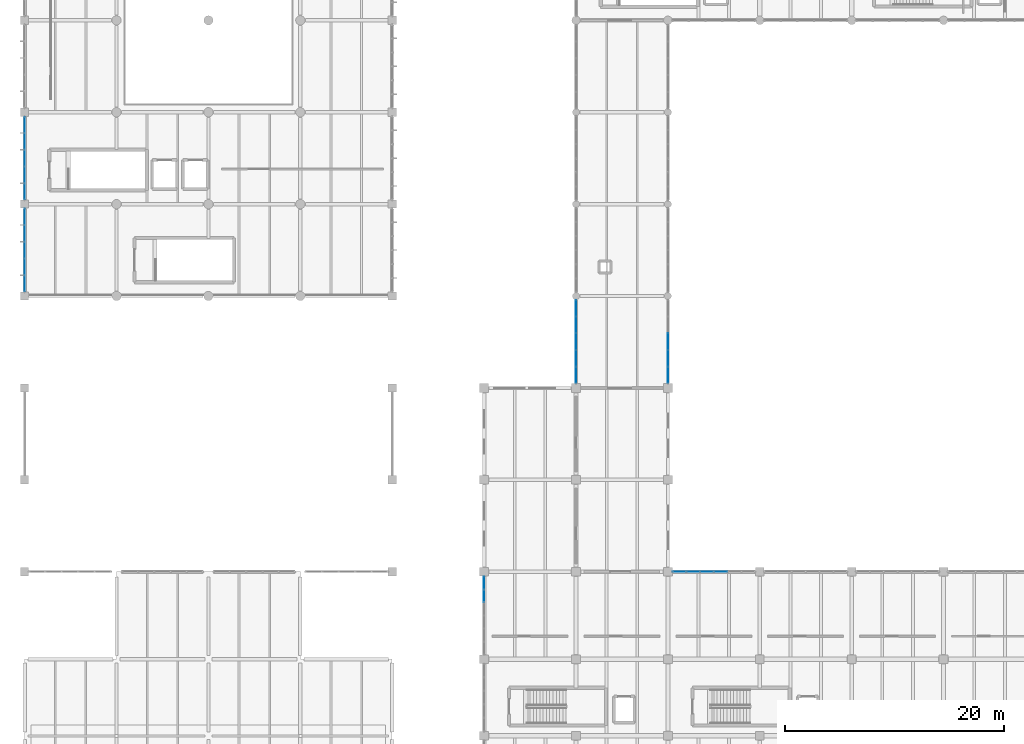
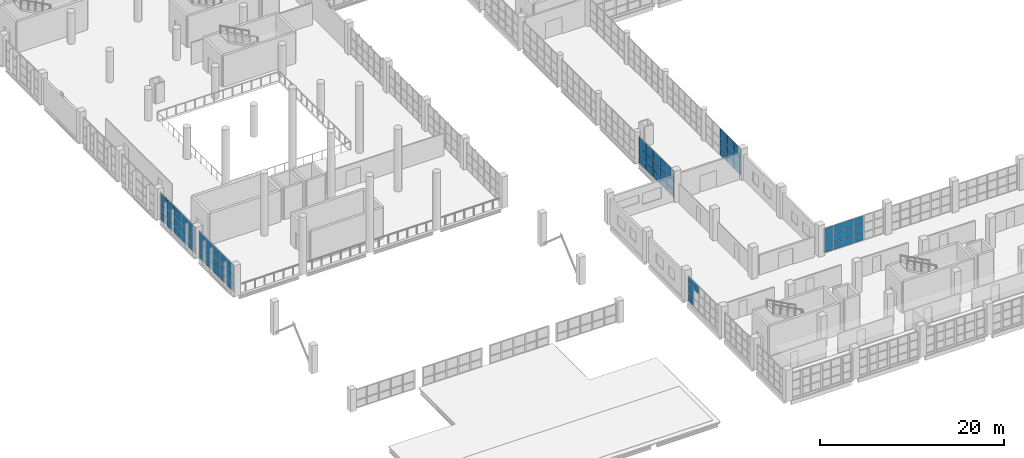
# One storey, part 122 of 177: 70 plates, 6 elements without a shape of their own.
"""IFC4 building model written with IfcOpenShell, lengths in metres."""

from ifc_helpers import new_model, si_unit, direction, frame, origin, origin_2d, place, context, subcontext, project, spatial, rectangle, extrude, material, layer, layer_set, type_object, element, aggregate, save


model = new_model("IFC4")

# Units and contexts
model_context = context("Model", 3, precision=1e-05, world=origin(), true_north=direction((0.0, 1.0)))
body_context = subcontext(model_context, "Body", "Model", "MODEL_VIEW")
ifc_project = project(units=[si_unit("LENGTHUNIT", "METRE"), si_unit("AREAUNIT", "SQUARE_METRE"), si_unit("VOLUMEUNIT", "CUBIC_METRE"), si_unit("PLANEANGLEUNIT", "RADIAN"), si_unit("MASSUNIT", "GRAM", prefix="KILO"), si_unit("THERMODYNAMICTEMPERATUREUNIT", "KELVIN"), si_unit("POWERUNIT", "WATT")], contexts=[model_context])

# Site, building, storey
site_placement = place(None, origin())
site = spatial("IfcSite", under=ifc_project, at=site_placement, CompositionType="ELEMENT")
building_placement = place(site_placement, origin())
building = spatial("IfcBuilding", under=site, at=building_placement, Name="Mavoryth Pier Ferry Terminal", CompositionType="ELEMENT")
storey_placement = place(building_placement, frame((0.0, 0.0, 5.43994140625)))
storey = spatial("IfcBuildingStorey", under=building, at=storey_placement, Name="L01", CompositionType="ELEMENT", Elevation=5.43994140625)

# Curtain wall, plates
ifc_material_1 = material(Name="Anodised Aluminium and Solar-Control Low-E Glass", Category="aluminium")
ifc_layer_1 = layer(ifc_material_1, 0.179931640625, Name="Anodised Aluminium and Solar-Control Low-E Glass", Category="aluminium")
ifc_layer_set_1 = layer_set([ifc_layer_1], Name="Anodised Aluminium and Solar-Control Low-E Glass - CW-Concourse-Mod1400")
curtain_wall_type_1 = type_object("IfcCurtainWallType", Name="CW-Concourse-Mod1400", PredefinedType="USERDEFINED", material=ifc_layer_set_1)
curtain_wall_1_placement = place(storey_placement, origin())
curtain_wall_1 = element("IfcCurtainWall", 1, at=curtain_wall_1_placement, inside=storey, type_object=curtain_wall_type_1, Name="Curtain Wall CW-0122-007", ObjectType="UNITISED CURTAIN WALL", PredefinedType="USERDEFINED")
ifc_material_2 = material(Name="Solar-Control Low-E Laminated Double Glazing", Category="glass")
ifc_layer_2 = layer(ifc_material_2, 0.02392578125, Name="Solar-Control Low-E Laminated Double Glazing", Category="glass")
ifc_layer_set_2 = layer_set([ifc_layer_2], Name="Solar-Control Low-E Laminated Double Glazing - Panel-LowE-DGU-24")
plate_type = type_object("IfcPlateType", Name="Panel-LowE-DGU-24", PredefinedType="CURTAIN_PANEL", material=ifc_layer_set_2)
plate_1_placement = place(storey_placement, frame((0.0, 54.445068359375, 0.06005859375), z_axis=(0.0, 0.0, 1.0), x_axis=(0.0, -1.0, 0.0)))
plate_1 = element("IfcPlate", 2, at=plate_1_placement, type_object=plate_type, Name="CW01 panel 1.1", PredefinedType="CURTAIN_PANEL", context=body_context, shape_type="SweptSolid", body=[
    extrude(rectangle(XDim=1.43994140625, YDim=0.02392578125, at=origin_2d()), origin(), (0.0, 0.0, 1.0), 0.9599609375),
])
plate_2_placement = place(storey_placement, frame((0.0, 54.445068359375, 1.080078125), z_axis=(0.0, 0.0, 1.0), x_axis=(0.0, -1.0, 0.0)))
plate_2 = element("IfcPlate", 3, at=plate_2_placement, type_object=plate_type, Name="CW01 panel 1.2", PredefinedType="CURTAIN_PANEL", context=body_context, shape_type="SweptSolid", body=[
    extrude(rectangle(XDim=1.43994140625, YDim=0.02392578125, at=origin_2d()), origin(), (0.0, 0.0, 1.0), 1.139892578125),
])
plate_3_placement = place(storey_placement, frame((0.0, 54.445068359375, 2.27978515625), z_axis=(0.0, 0.0, 1.0), x_axis=(0.0, -1.0, 0.0)))
plate_3 = element("IfcPlate", 4, at=plate_3_placement, type_object=plate_type, Name="CW01 panel 1.3", PredefinedType="CURTAIN_PANEL", context=body_context, shape_type="SweptSolid", body=[
    extrude(rectangle(XDim=1.43994140625, YDim=0.02392578125, at=origin_2d()), origin(), (0.0, 0.0, 1.0), 1.320068359375),
])
plate_4_placement = place(storey_placement, frame((0.0, 52.929931640625, 0.06005859375), z_axis=(0.0, 0.0, 1.0), x_axis=(0.0, -1.0, 0.0)))
plate_4 = element("IfcPlate", 5, at=plate_4_placement, type_object=plate_type, Name="CW01 panel 2.1", PredefinedType="CURTAIN_PANEL", context=body_context, shape_type="SweptSolid", body=[
    extrude(rectangle(XDim=1.469970703125, YDim=0.02392578125, at=origin_2d()), origin(), (0.0, 0.0, 1.0), 0.9599609375),
])
plate_5_placement = place(storey_placement, frame((0.0, 52.929931640625, 1.080078125), z_axis=(0.0, 0.0, 1.0), x_axis=(0.0, -1.0, 0.0)))
plate_5 = element("IfcPlate", 6, at=plate_5_placement, type_object=plate_type, Name="CW01 panel 2.2", PredefinedType="CURTAIN_PANEL", context=body_context, shape_type="SweptSolid", body=[
    extrude(rectangle(XDim=1.469970703125, YDim=0.02392578125, at=origin_2d()), origin(), (0.0, 0.0, 1.0), 1.139892578125),
])
plate_6_placement = place(storey_placement, frame((0.0, 52.929931640625, 2.27978515625), z_axis=(0.0, 0.0, 1.0), x_axis=(0.0, -1.0, 0.0)))
plate_6 = element("IfcPlate", 7, at=plate_6_placement, type_object=plate_type, Name="CW01 panel 2.3", PredefinedType="CURTAIN_PANEL", context=body_context, shape_type="SweptSolid", body=[
    extrude(rectangle(XDim=1.469970703125, YDim=0.02392578125, at=origin_2d()), origin(), (0.0, 0.0, 1.0), 1.320068359375),
])
plate_7_placement = place(storey_placement, frame((0.0, 51.39990234375, 0.06005859375), z_axis=(0.0, 0.0, 1.0), x_axis=(0.0, -1.0, 0.0)))
plate_7 = element("IfcPlate", 8, at=plate_7_placement, type_object=plate_type, Name="CW01 panel 3.1", PredefinedType="CURTAIN_PANEL", context=body_context, shape_type="SweptSolid", body=[
    extrude(rectangle(XDim=1.469970703125, YDim=0.02392578125, at=origin_2d()), origin(), (0.0, 0.0, 1.0), 0.9599609375),
])
plate_8_placement = place(storey_placement, frame((0.0, 51.39990234375, 1.080078125), z_axis=(0.0, 0.0, 1.0), x_axis=(0.0, -1.0, 0.0)))
plate_8 = element("IfcPlate", 9, at=plate_8_placement, type_object=plate_type, Name="CW01 panel 3.2", PredefinedType="CURTAIN_PANEL", context=body_context, shape_type="SweptSolid", body=[
    extrude(rectangle(XDim=1.469970703125, YDim=0.02392578125, at=origin_2d()), origin(), (0.0, 0.0, 1.0), 1.139892578125),
])
plate_9_placement = place(storey_placement, frame((0.0, 51.39990234375, 2.27978515625), z_axis=(0.0, 0.0, 1.0), x_axis=(0.0, -1.0, 0.0)))
plate_9 = element("IfcPlate", 10, at=plate_9_placement, type_object=plate_type, Name="CW01 panel 3.3", PredefinedType="CURTAIN_PANEL", context=body_context, shape_type="SweptSolid", body=[
    extrude(rectangle(XDim=1.469970703125, YDim=0.02392578125, at=origin_2d()), origin(), (0.0, 0.0, 1.0), 1.320068359375),
])
plate_10_placement = place(storey_placement, frame((0.0, 49.8701171875, 0.06005859375), z_axis=(0.0, 0.0, 1.0), x_axis=(0.0, -1.0, 0.0)))
plate_10 = element("IfcPlate", 11, at=plate_10_placement, type_object=plate_type, Name="CW01 panel 4.1", PredefinedType="CURTAIN_PANEL", context=body_context, shape_type="SweptSolid", body=[
    extrude(rectangle(XDim=1.469970703125, YDim=0.02392578125, at=origin_2d()), origin(), (0.0, 0.0, 1.0), 0.9599609375),
])
plate_11_placement = place(storey_placement, frame((0.0, 49.8701171875, 1.080078125), z_axis=(0.0, 0.0, 1.0), x_axis=(0.0, -1.0, 0.0)))
plate_11 = element("IfcPlate", 12, at=plate_11_placement, type_object=plate_type, Name="CW01 panel 4.2", PredefinedType="CURTAIN_PANEL", context=body_context, shape_type="SweptSolid", body=[
    extrude(rectangle(XDim=1.469970703125, YDim=0.02392578125, at=origin_2d()), origin(), (0.0, 0.0, 1.0), 1.139892578125),
])
plate_12_placement = place(storey_placement, frame((0.0, 49.8701171875, 2.27978515625), z_axis=(0.0, 0.0, 1.0), x_axis=(0.0, -1.0, 0.0)))
plate_12 = element("IfcPlate", 13, at=plate_12_placement, type_object=plate_type, Name="CW01 panel 4.3", PredefinedType="CURTAIN_PANEL", context=body_context, shape_type="SweptSolid", body=[
    extrude(rectangle(XDim=1.469970703125, YDim=0.02392578125, at=origin_2d()), origin(), (0.0, 0.0, 1.0), 1.320068359375),
])
plate_13_placement = place(storey_placement, frame((0.0, 48.35498046875, 0.06005859375), z_axis=(0.0, 0.0, 1.0), x_axis=(0.0, -1.0, 0.0)))
plate_13 = element("IfcPlate", 14, at=plate_13_placement, type_object=plate_type, Name="CW01 panel 5.1", PredefinedType="CURTAIN_PANEL", context=body_context, shape_type="SweptSolid", body=[
    extrude(rectangle(XDim=1.43994140625, YDim=0.02392578125, at=origin_2d()), origin(), (0.0, 0.0, 1.0), 0.9599609375),
])
plate_14_placement = place(storey_placement, frame((0.0, 48.35498046875, 1.080078125), z_axis=(0.0, 0.0, 1.0), x_axis=(0.0, -1.0, 0.0)))
plate_14 = element("IfcPlate", 15, at=plate_14_placement, type_object=plate_type, Name="CW01 panel 5.2", PredefinedType="CURTAIN_PANEL", context=body_context, shape_type="SweptSolid", body=[
    extrude(rectangle(XDim=1.43994140625, YDim=0.02392578125, at=origin_2d()), origin(), (0.0, 0.0, 1.0), 1.139892578125),
])
plate_15_placement = place(storey_placement, frame((0.0, 48.35498046875, 2.27978515625), z_axis=(0.0, 0.0, 1.0), x_axis=(0.0, -1.0, 0.0)))
plate_15 = element("IfcPlate", 16, at=plate_15_placement, type_object=plate_type, Name="CW01 panel 5.3", PredefinedType="CURTAIN_PANEL", context=body_context, shape_type="SweptSolid", body=[
    extrude(rectangle(XDim=1.43994140625, YDim=0.02392578125, at=origin_2d()), origin(), (0.0, 0.0, 1.0), 1.320068359375),
])
aggregate(curtain_wall_1, [plate_1, plate_2, plate_3, plate_4, plate_5, plate_6, plate_7, plate_8, plate_9, plate_10, plate_11, plate_12, plate_13, plate_14, plate_15])

curtain_wall_2_placement = place(storey_placement, origin())
curtain_wall_2 = element("IfcCurtainWall", 17, at=curtain_wall_2_placement, inside=storey, type_object=curtain_wall_type_1, Name="Curtain Wall CW-0122-011", ObjectType="UNITISED CURTAIN WALL", PredefinedType="USERDEFINED")
plate_16_placement = place(storey_placement, frame((0.0, 62.844970703125, 0.06005859375), z_axis=(0.0, 0.0, 1.0), x_axis=(0.0, -1.0, 0.0)))
plate_16 = element("IfcPlate", 18, at=plate_16_placement, type_object=plate_type, Name="CW01 panel 1.1", PredefinedType="CURTAIN_PANEL", context=body_context, shape_type="SweptSolid", body=[
    extrude(rectangle(XDim=1.43994140625, YDim=0.02392578125, at=origin_2d()), origin(), (0.0, 0.0, 1.0), 0.9599609375),
])
plate_17_placement = place(storey_placement, frame((0.0, 62.844970703125, 1.080078125), z_axis=(0.0, 0.0, 1.0), x_axis=(0.0, -1.0, 0.0)))
plate_17 = element("IfcPlate", 19, at=plate_17_placement, type_object=plate_type, Name="CW01 panel 1.2", PredefinedType="CURTAIN_PANEL", context=body_context, shape_type="SweptSolid", body=[
    extrude(rectangle(XDim=1.43994140625, YDim=0.02392578125, at=origin_2d()), origin(), (0.0, 0.0, 1.0), 1.139892578125),
])
plate_18_placement = place(storey_placement, frame((0.0, 62.844970703125, 2.27978515625), z_axis=(0.0, 0.0, 1.0), x_axis=(0.0, -1.0, 0.0)))
plate_18 = element("IfcPlate", 20, at=plate_18_placement, type_object=plate_type, Name="CW01 panel 1.3", PredefinedType="CURTAIN_PANEL", context=body_context, shape_type="SweptSolid", body=[
    extrude(rectangle(XDim=1.43994140625, YDim=0.02392578125, at=origin_2d()), origin(), (0.0, 0.0, 1.0), 1.320068359375),
])
plate_19_placement = place(storey_placement, frame((0.0, 61.330078125, 0.06005859375), z_axis=(0.0, 0.0, 1.0), x_axis=(0.0, -1.0, 0.0)))
plate_19 = element("IfcPlate", 21, at=plate_19_placement, type_object=plate_type, Name="CW01 panel 2.1", PredefinedType="CURTAIN_PANEL", context=body_context, shape_type="SweptSolid", body=[
    extrude(rectangle(XDim=1.469970703125, YDim=0.02392578125, at=origin_2d()), origin(), (0.0, 0.0, 1.0), 0.9599609375),
])
plate_20_placement = place(storey_placement, frame((0.0, 61.330078125, 1.080078125), z_axis=(0.0, 0.0, 1.0), x_axis=(0.0, -1.0, 0.0)))
plate_20 = element("IfcPlate", 22, at=plate_20_placement, type_object=plate_type, Name="CW01 panel 2.2", PredefinedType="CURTAIN_PANEL", context=body_context, shape_type="SweptSolid", body=[
    extrude(rectangle(XDim=1.469970703125, YDim=0.02392578125, at=origin_2d()), origin(), (0.0, 0.0, 1.0), 1.139892578125),
])
plate_21_placement = place(storey_placement, frame((0.0, 61.330078125, 2.27978515625), z_axis=(0.0, 0.0, 1.0), x_axis=(0.0, -1.0, 0.0)))
plate_21 = element("IfcPlate", 23, at=plate_21_placement, type_object=plate_type, Name="CW01 panel 2.3", PredefinedType="CURTAIN_PANEL", context=body_context, shape_type="SweptSolid", body=[
    extrude(rectangle(XDim=1.469970703125, YDim=0.02392578125, at=origin_2d()), origin(), (0.0, 0.0, 1.0), 1.320068359375),
])
plate_22_placement = place(storey_placement, frame((0.0, 59.800048828125, 0.06005859375), z_axis=(0.0, 0.0, 1.0), x_axis=(0.0, -1.0, 0.0)))
plate_22 = element("IfcPlate", 24, at=plate_22_placement, type_object=plate_type, Name="CW01 panel 3.1", PredefinedType="CURTAIN_PANEL", context=body_context, shape_type="SweptSolid", body=[
    extrude(rectangle(XDim=1.469970703125, YDim=0.02392578125, at=origin_2d()), origin(), (0.0, 0.0, 1.0), 0.9599609375),
])
plate_23_placement = place(storey_placement, frame((0.0, 59.800048828125, 1.080078125), z_axis=(0.0, 0.0, 1.0), x_axis=(0.0, -1.0, 0.0)))
plate_23 = element("IfcPlate", 25, at=plate_23_placement, type_object=plate_type, Name="CW01 panel 3.2", PredefinedType="CURTAIN_PANEL", context=body_context, shape_type="SweptSolid", body=[
    extrude(rectangle(XDim=1.469970703125, YDim=0.02392578125, at=origin_2d()), origin(), (0.0, 0.0, 1.0), 1.139892578125),
])
plate_24_placement = place(storey_placement, frame((0.0, 59.800048828125, 2.27978515625), z_axis=(0.0, 0.0, 1.0), x_axis=(0.0, -1.0, 0.0)))
plate_24 = element("IfcPlate", 26, at=plate_24_placement, type_object=plate_type, Name="CW01 panel 3.3", PredefinedType="CURTAIN_PANEL", context=body_context, shape_type="SweptSolid", body=[
    extrude(rectangle(XDim=1.469970703125, YDim=0.02392578125, at=origin_2d()), origin(), (0.0, 0.0, 1.0), 1.320068359375),
])
plate_25_placement = place(storey_placement, frame((0.0, 58.27001953125, 0.06005859375), z_axis=(0.0, 0.0, 1.0), x_axis=(0.0, -1.0, 0.0)))
plate_25 = element("IfcPlate", 27, at=plate_25_placement, type_object=plate_type, Name="CW01 panel 4.1", PredefinedType="CURTAIN_PANEL", context=body_context, shape_type="SweptSolid", body=[
    extrude(rectangle(XDim=1.469970703125, YDim=0.02392578125, at=origin_2d()), origin(), (0.0, 0.0, 1.0), 0.9599609375),
])
plate_26_placement = place(storey_placement, frame((0.0, 58.27001953125, 1.080078125), z_axis=(0.0, 0.0, 1.0), x_axis=(0.0, -1.0, 0.0)))
plate_26 = element("IfcPlate", 28, at=plate_26_placement, type_object=plate_type, Name="CW01 panel 4.2", PredefinedType="CURTAIN_PANEL", context=body_context, shape_type="SweptSolid", body=[
    extrude(rectangle(XDim=1.469970703125, YDim=0.02392578125, at=origin_2d()), origin(), (0.0, 0.0, 1.0), 1.139892578125),
])
plate_27_placement = place(storey_placement, frame((0.0, 58.27001953125, 2.27978515625), z_axis=(0.0, 0.0, 1.0), x_axis=(0.0, -1.0, 0.0)))
plate_27 = element("IfcPlate", 29, at=plate_27_placement, type_object=plate_type, Name="CW01 panel 4.3", PredefinedType="CURTAIN_PANEL", context=body_context, shape_type="SweptSolid", body=[
    extrude(rectangle(XDim=1.469970703125, YDim=0.02392578125, at=origin_2d()), origin(), (0.0, 0.0, 1.0), 1.320068359375),
])
plate_28_placement = place(storey_placement, frame((0.0, 56.7548828125, 0.06005859375), z_axis=(0.0, 0.0, 1.0), x_axis=(0.0, -1.0, 0.0)))
plate_28 = element("IfcPlate", 30, at=plate_28_placement, type_object=plate_type, Name="CW01 panel 5.1", PredefinedType="CURTAIN_PANEL", context=body_context, shape_type="SweptSolid", body=[
    extrude(rectangle(XDim=1.43994140625, YDim=0.02392578125, at=origin_2d()), origin(), (0.0, 0.0, 1.0), 0.9599609375),
])
plate_29_placement = place(storey_placement, frame((0.0, 56.7548828125, 1.080078125), z_axis=(0.0, 0.0, 1.0), x_axis=(0.0, -1.0, 0.0)))
plate_29 = element("IfcPlate", 31, at=plate_29_placement, type_object=plate_type, Name="CW01 panel 5.2", PredefinedType="CURTAIN_PANEL", context=body_context, shape_type="SweptSolid", body=[
    extrude(rectangle(XDim=1.43994140625, YDim=0.02392578125, at=origin_2d()), origin(), (0.0, 0.0, 1.0), 1.139892578125),
])
plate_30_placement = place(storey_placement, frame((0.0, 56.7548828125, 2.27978515625), z_axis=(0.0, 0.0, 1.0), x_axis=(0.0, -1.0, 0.0)))
plate_30 = element("IfcPlate", 32, at=plate_30_placement, type_object=plate_type, Name="CW01 panel 5.3", PredefinedType="CURTAIN_PANEL", context=body_context, shape_type="SweptSolid", body=[
    extrude(rectangle(XDim=1.43994140625, YDim=0.02392578125, at=origin_2d()), origin(), (0.0, 0.0, 1.0), 1.320068359375),
])
aggregate(curtain_wall_2, [plate_16, plate_17, plate_18, plate_19, plate_20, plate_21, plate_22, plate_23, plate_24, plate_25, plate_26, plate_27, plate_28, plate_29, plate_30])

ifc_layer_3 = layer(ifc_material_1, 0.1201171875, Name="Anodised Aluminium and Solar-Control Low-E Glass", Category="aluminium")
ifc_layer_set_3 = layer_set([ifc_layer_3], Name="Anodised Aluminium and Solar-Control Low-E Glass - CW-BridgeLink-Mod1400")
curtain_wall_type_2 = type_object("IfcCurtainWallType", Name="CW-BridgeLink-Mod1400", PredefinedType="USERDEFINED", material=ifc_layer_set_3)
curtain_wall_3_placement = place(storey_placement, origin())
curtain_wall_3 = element("IfcCurtainWall", 33, at=curtain_wall_3_placement, inside=storey, type_object=curtain_wall_type_2, Name="Curtain Wall CW-0111-102", ObjectType="UNITISED CURTAIN WALL", PredefinedType="USERDEFINED")
plate_31_placement = place(storey_placement, frame((50.39990234375, 46.09375, 0.05517578125), z_axis=(0.0, 0.0, 1.0), x_axis=(0.0, -1.0, 0.0)))
plate_31 = element("IfcPlate", 34, at=plate_31_placement, type_object=plate_type, Name="CW08 panel 1.1", PredefinedType="CURTAIN_PANEL", context=body_context, shape_type="SweptSolid", body=[
    extrude(rectangle(XDim=1.452392578125, YDim=0.02392578125, at=origin_2d()), origin(), (0.0, 0.0, 1.0), 0.967529296875),
])
plate_32_placement = place(storey_placement, frame((50.39990234375, 46.09375, 1.07763671875), z_axis=(0.0, 0.0, 1.0), x_axis=(0.0, -1.0, 0.0)))
plate_32 = element("IfcPlate", 35, at=plate_32_placement, type_object=plate_type, Name="CW08 panel 1.2", PredefinedType="CURTAIN_PANEL", context=body_context, shape_type="SweptSolid", body=[
    extrude(rectangle(XDim=1.452392578125, YDim=0.02392578125, at=origin_2d()), origin(), (0.0, 0.0, 1.0), 1.14501953125),
])
plate_33_placement = place(storey_placement, frame((50.39990234375, 46.09375, 2.27734375), z_axis=(0.0, 0.0, 1.0), x_axis=(0.0, -1.0, 0.0)))
plate_33 = element("IfcPlate", 36, at=plate_33_placement, type_object=plate_type, Name="CW08 panel 1.3", PredefinedType="CURTAIN_PANEL", context=body_context, shape_type="SweptSolid", body=[
    extrude(rectangle(XDim=1.452392578125, YDim=0.02392578125, at=origin_2d()), origin(), (0.0, 0.0, 1.0), 1.322509765625),
])
plate_34_placement = place(storey_placement, frame((50.39990234375, 44.572509765625, 0.05517578125), z_axis=(0.0, 0.0, 1.0), x_axis=(0.0, -1.0, 0.0)))
plate_34 = element("IfcPlate", 37, at=plate_34_placement, type_object=plate_type, Name="CW08 panel 2.1", PredefinedType="CURTAIN_PANEL", context=body_context, shape_type="SweptSolid", body=[
    extrude(rectangle(XDim=1.47998046875, YDim=0.02392578125, at=origin_2d()), origin(), (0.0, 0.0, 1.0), 0.967529296875),
])
plate_35_placement = place(storey_placement, frame((50.39990234375, 44.572509765625, 1.07763671875), z_axis=(0.0, 0.0, 1.0), x_axis=(0.0, -1.0, 0.0)))
plate_35 = element("IfcPlate", 38, at=plate_35_placement, type_object=plate_type, Name="CW08 panel 2.2", PredefinedType="CURTAIN_PANEL", context=body_context, shape_type="SweptSolid", body=[
    extrude(rectangle(XDim=1.47998046875, YDim=0.02392578125, at=origin_2d()), origin(), (0.0, 0.0, 1.0), 1.14501953125),
])
plate_36_placement = place(storey_placement, frame((50.39990234375, 44.572509765625, 2.27734375), z_axis=(0.0, 0.0, 1.0), x_axis=(0.0, -1.0, 0.0)))
plate_36 = element("IfcPlate", 39, at=plate_36_placement, type_object=plate_type, Name="CW08 panel 2.3", PredefinedType="CURTAIN_PANEL", context=body_context, shape_type="SweptSolid", body=[
    extrude(rectangle(XDim=1.47998046875, YDim=0.02392578125, at=origin_2d()), origin(), (0.0, 0.0, 1.0), 1.322509765625),
])
plate_37_placement = place(storey_placement, frame((50.39990234375, 43.03759765625, 0.05517578125), z_axis=(0.0, 0.0, 1.0), x_axis=(0.0, -1.0, 0.0)))
plate_37 = element("IfcPlate", 40, at=plate_37_placement, type_object=plate_type, Name="CW08 panel 3.1", PredefinedType="CURTAIN_PANEL", context=body_context, shape_type="SweptSolid", body=[
    extrude(rectangle(XDim=1.47998046875, YDim=0.02392578125, at=origin_2d()), origin(), (0.0, 0.0, 1.0), 0.967529296875),
])
plate_38_placement = place(storey_placement, frame((50.39990234375, 43.03759765625, 1.07763671875), z_axis=(0.0, 0.0, 1.0), x_axis=(0.0, -1.0, 0.0)))
plate_38 = element("IfcPlate", 41, at=plate_38_placement, type_object=plate_type, Name="CW08 panel 3.2", PredefinedType="CURTAIN_PANEL", context=body_context, shape_type="SweptSolid", body=[
    extrude(rectangle(XDim=1.47998046875, YDim=0.02392578125, at=origin_2d()), origin(), (0.0, 0.0, 1.0), 1.14501953125),
])
plate_39_placement = place(storey_placement, frame((50.39990234375, 43.03759765625, 2.27734375), z_axis=(0.0, 0.0, 1.0), x_axis=(0.0, -1.0, 0.0)))
plate_39 = element("IfcPlate", 42, at=plate_39_placement, type_object=plate_type, Name="CW08 panel 3.3", PredefinedType="CURTAIN_PANEL", context=body_context, shape_type="SweptSolid", body=[
    extrude(rectangle(XDim=1.47998046875, YDim=0.02392578125, at=origin_2d()), origin(), (0.0, 0.0, 1.0), 1.322509765625),
])
plate_40_placement = place(storey_placement, frame((50.39990234375, 41.50244140625, 0.05517578125), z_axis=(0.0, 0.0, 1.0), x_axis=(0.0, -1.0, 0.0)))
plate_40 = element("IfcPlate", 43, at=plate_40_placement, type_object=plate_type, Name="CW08 panel 4.1", PredefinedType="CURTAIN_PANEL", context=body_context, shape_type="SweptSolid", body=[
    extrude(rectangle(XDim=1.47998046875, YDim=0.02392578125, at=origin_2d()), origin(), (0.0, 0.0, 1.0), 0.967529296875),
])
plate_41_placement = place(storey_placement, frame((50.39990234375, 41.50244140625, 1.07763671875), z_axis=(0.0, 0.0, 1.0), x_axis=(0.0, -1.0, 0.0)))
plate_41 = element("IfcPlate", 44, at=plate_41_placement, type_object=plate_type, Name="CW08 panel 4.2", PredefinedType="CURTAIN_PANEL", context=body_context, shape_type="SweptSolid", body=[
    extrude(rectangle(XDim=1.47998046875, YDim=0.02392578125, at=origin_2d()), origin(), (0.0, 0.0, 1.0), 1.14501953125),
])
plate_42_placement = place(storey_placement, frame((50.39990234375, 41.50244140625, 2.27734375), z_axis=(0.0, 0.0, 1.0), x_axis=(0.0, -1.0, 0.0)))
plate_42 = element("IfcPlate", 45, at=plate_42_placement, type_object=plate_type, Name="CW08 panel 4.3", PredefinedType="CURTAIN_PANEL", context=body_context, shape_type="SweptSolid", body=[
    extrude(rectangle(XDim=1.47998046875, YDim=0.02392578125, at=origin_2d()), origin(), (0.0, 0.0, 1.0), 1.322509765625),
])
plate_43_placement = place(storey_placement, frame((50.39990234375, 39.981201171875, 0.05517578125), z_axis=(0.0, 0.0, 1.0), x_axis=(0.0, -1.0, 0.0)))
plate_43 = element("IfcPlate", 46, at=plate_43_placement, type_object=plate_type, Name="CW08 panel 5.1", PredefinedType="CURTAIN_PANEL", context=body_context, shape_type="SweptSolid", body=[
    extrude(rectangle(XDim=1.452392578125, YDim=0.02392578125, at=origin_2d()), origin(), (0.0, 0.0, 1.0), 0.967529296875),
])
plate_44_placement = place(storey_placement, frame((50.39990234375, 39.981201171875, 1.07763671875), z_axis=(0.0, 0.0, 1.0), x_axis=(0.0, -1.0, 0.0)))
plate_44 = element("IfcPlate", 47, at=plate_44_placement, type_object=plate_type, Name="CW08 panel 5.2", PredefinedType="CURTAIN_PANEL", context=body_context, shape_type="SweptSolid", body=[
    extrude(rectangle(XDim=1.452392578125, YDim=0.02392578125, at=origin_2d()), origin(), (0.0, 0.0, 1.0), 1.14501953125),
])
plate_45_placement = place(storey_placement, frame((50.39990234375, 39.981201171875, 2.27734375), z_axis=(0.0, 0.0, 1.0), x_axis=(0.0, -1.0, 0.0)))
plate_45 = element("IfcPlate", 48, at=plate_45_placement, type_object=plate_type, Name="CW08 panel 5.3", PredefinedType="CURTAIN_PANEL", context=body_context, shape_type="SweptSolid", body=[
    extrude(rectangle(XDim=1.452392578125, YDim=0.02392578125, at=origin_2d()), origin(), (0.0, 0.0, 1.0), 1.322509765625),
])
aggregate(curtain_wall_3, [plate_31, plate_32, plate_33, plate_34, plate_35, plate_36, plate_37, plate_38, plate_39, plate_40, plate_41, plate_42, plate_43, plate_44, plate_45])

curtain_wall_4_placement = place(storey_placement, origin())
curtain_wall_4 = element("IfcCurtainWall", 49, at=curtain_wall_4_placement, inside=storey, type_object=curtain_wall_type_2, Name="Curtain Wall CW-0111-103", ObjectType="UNITISED CURTAIN WALL", PredefinedType="USERDEFINED")
plate_46_placement = place(storey_placement, frame((58.800048828125, 39.981201171875, 0.05517578125), z_axis=(0.0, 0.0, 1.0), x_axis=(0.0, 1.0, 0.0)))
plate_46 = element("IfcPlate", 50, at=plate_46_placement, type_object=plate_type, Name="CW08 panel 1.1", PredefinedType="CURTAIN_PANEL", context=body_context, shape_type="SweptSolid", body=[
    extrude(rectangle(XDim=1.452392578125, YDim=0.02392578125, at=origin_2d()), origin(), (0.0, 0.0, 1.0), 0.967529296875),
])
plate_47_placement = place(storey_placement, frame((58.800048828125, 39.981201171875, 1.07763671875), z_axis=(0.0, 0.0, 1.0), x_axis=(0.0, 1.0, 0.0)))
plate_47 = element("IfcPlate", 51, at=plate_47_placement, type_object=plate_type, Name="CW08 panel 1.2", PredefinedType="CURTAIN_PANEL", context=body_context, shape_type="SweptSolid", body=[
    extrude(rectangle(XDim=1.452392578125, YDim=0.02392578125, at=origin_2d()), origin(), (0.0, 0.0, 1.0), 1.14501953125),
])
plate_48_placement = place(storey_placement, frame((58.800048828125, 39.981201171875, 2.27734375), z_axis=(0.0, 0.0, 1.0), x_axis=(0.0, 1.0, 0.0)))
plate_48 = element("IfcPlate", 52, at=plate_48_placement, type_object=plate_type, Name="CW08 panel 1.3", PredefinedType="CURTAIN_PANEL", context=body_context, shape_type="SweptSolid", body=[
    extrude(rectangle(XDim=1.452392578125, YDim=0.02392578125, at=origin_2d()), origin(), (0.0, 0.0, 1.0), 1.322509765625),
])
plate_49_placement = place(storey_placement, frame((58.800048828125, 41.50244140625, 0.05517578125), z_axis=(0.0, 0.0, 1.0), x_axis=(0.0, 1.0, 0.0)))
plate_49 = element("IfcPlate", 53, at=plate_49_placement, type_object=plate_type, Name="CW08 panel 2.1", PredefinedType="CURTAIN_PANEL", context=body_context, shape_type="SweptSolid", body=[
    extrude(rectangle(XDim=1.47998046875, YDim=0.02392578125, at=origin_2d()), origin(), (0.0, 0.0, 1.0), 0.967529296875),
])
plate_50_placement = place(storey_placement, frame((58.800048828125, 41.50244140625, 1.07763671875), z_axis=(0.0, 0.0, 1.0), x_axis=(0.0, 1.0, 0.0)))
plate_50 = element("IfcPlate", 54, at=plate_50_placement, type_object=plate_type, Name="CW08 panel 2.2", PredefinedType="CURTAIN_PANEL", context=body_context, shape_type="SweptSolid", body=[
    extrude(rectangle(XDim=1.47998046875, YDim=0.02392578125, at=origin_2d()), origin(), (0.0, 0.0, 1.0), 1.14501953125),
])
plate_51_placement = place(storey_placement, frame((58.800048828125, 41.50244140625, 2.27734375), z_axis=(0.0, 0.0, 1.0), x_axis=(0.0, 1.0, 0.0)))
plate_51 = element("IfcPlate", 55, at=plate_51_placement, type_object=plate_type, Name="CW08 panel 2.3", PredefinedType="CURTAIN_PANEL", context=body_context, shape_type="SweptSolid", body=[
    extrude(rectangle(XDim=1.47998046875, YDim=0.02392578125, at=origin_2d()), origin(), (0.0, 0.0, 1.0), 1.322509765625),
])
plate_52_placement = place(storey_placement, frame((58.800048828125, 43.03759765625, 0.05517578125), z_axis=(0.0, 0.0, 1.0), x_axis=(0.0, 1.0, 0.0)))
plate_52 = element("IfcPlate", 56, at=plate_52_placement, type_object=plate_type, Name="CW08 panel 3.1", PredefinedType="CURTAIN_PANEL", context=body_context, shape_type="SweptSolid", body=[
    extrude(rectangle(XDim=1.47998046875, YDim=0.02392578125, at=origin_2d()), origin(), (0.0, 0.0, 1.0), 0.967529296875),
])
plate_53_placement = place(storey_placement, frame((58.800048828125, 43.03759765625, 1.07763671875), z_axis=(0.0, 0.0, 1.0), x_axis=(0.0, 1.0, 0.0)))
plate_53 = element("IfcPlate", 57, at=plate_53_placement, type_object=plate_type, Name="CW08 panel 3.2", PredefinedType="CURTAIN_PANEL", context=body_context, shape_type="SweptSolid", body=[
    extrude(rectangle(XDim=1.47998046875, YDim=0.02392578125, at=origin_2d()), origin(), (0.0, 0.0, 1.0), 1.14501953125),
])
plate_54_placement = place(storey_placement, frame((58.800048828125, 43.03759765625, 2.27734375), z_axis=(0.0, 0.0, 1.0), x_axis=(0.0, 1.0, 0.0)))
plate_54 = element("IfcPlate", 58, at=plate_54_placement, type_object=plate_type, Name="CW08 panel 3.3", PredefinedType="CURTAIN_PANEL", context=body_context, shape_type="SweptSolid", body=[
    extrude(rectangle(XDim=1.47998046875, YDim=0.02392578125, at=origin_2d()), origin(), (0.0, 0.0, 1.0), 1.322509765625),
])
aggregate(curtain_wall_4, [plate_46, plate_47, plate_48, plate_49, plate_50, plate_51, plate_52, plate_53, plate_54])

ifc_layer_4 = layer(ifc_material_1, 0.239990234375, Name="Anodised Aluminium and Solar-Control Low-E Glass", Category="aluminium")
ifc_layer_set_4 = layer_set([ifc_layer_4], Name="Anodised Aluminium and Solar-Control Low-E Glass - CW-Operations-Mod1200")
curtain_wall_type_3 = type_object("IfcCurtainWallType", Name="CW-Operations-Mod1200", PredefinedType="USERDEFINED", material=ifc_layer_set_4)
curtain_wall_5_placement = place(storey_placement, origin())
curtain_wall_5 = element("IfcCurtainWall", 59, at=curtain_wall_5_placement, inside=storey, type_object=curtain_wall_type_3, Name="Curtain Wall CW-0122-113", ObjectType="UNITISED CURTAIN WALL", PredefinedType="USERDEFINED")
plate_55_placement = place(storey_placement, frame((63.63330078125, 22.0, 0.06005859375), z_axis=(0.0, 0.0, 1.0), x_axis=(-1.0, 0.0, 0.0)))
plate_55 = element("IfcPlate", 60, at=plate_55_placement, type_object=plate_type, Name="CW06 panel 3.1", PredefinedType="CURTAIN_PANEL", context=body_context, shape_type="SweptSolid", body=[
    extrude(rectangle(XDim=1.206787109375, YDim=0.02392578125, at=origin_2d()), origin(), (0.0, 0.0, 1.0), 0.9599609375),
])
plate_56_placement = place(storey_placement, frame((63.63330078125, 22.0, 1.080078125), z_axis=(0.0, 0.0, 1.0), x_axis=(-1.0, 0.0, 0.0)))
plate_56 = element("IfcPlate", 61, at=plate_56_placement, type_object=plate_type, Name="CW06 panel 3.2", PredefinedType="CURTAIN_PANEL", context=body_context, shape_type="SweptSolid", body=[
    extrude(rectangle(XDim=1.206787109375, YDim=0.02392578125, at=origin_2d()), origin(), (0.0, 0.0, 1.0), 1.139892578125),
])
plate_57_placement = place(storey_placement, frame((63.63330078125, 22.0, 2.280029296875), z_axis=(0.0, 0.0, 1.0), x_axis=(-1.0, 0.0, 0.0)))
plate_57 = element("IfcPlate", 62, at=plate_57_placement, type_object=plate_type, Name="CW06 panel 3.3", PredefinedType="CURTAIN_PANEL", context=body_context, shape_type="SweptSolid", body=[
    extrude(rectangle(XDim=1.206787109375, YDim=0.02392578125, at=origin_2d()), origin(), (0.0, 0.0, 1.0), 1.0048828125),
])
plate_58_placement = place(storey_placement, frame((62.36669921875, 22.0, 0.06005859375), z_axis=(0.0, 0.0, 1.0), x_axis=(-1.0, 0.0, 0.0)))
plate_58 = element("IfcPlate", 63, at=plate_58_placement, type_object=plate_type, Name="CW06 panel 4.1", PredefinedType="CURTAIN_PANEL", context=body_context, shape_type="SweptSolid", body=[
    extrude(rectangle(XDim=1.206787109375, YDim=0.02392578125, at=origin_2d()), origin(), (0.0, 0.0, 1.0), 0.9599609375),
])
plate_59_placement = place(storey_placement, frame((62.36669921875, 22.0, 1.080078125), z_axis=(0.0, 0.0, 1.0), x_axis=(-1.0, 0.0, 0.0)))
plate_59 = element("IfcPlate", 64, at=plate_59_placement, type_object=plate_type, Name="CW06 panel 4.2", PredefinedType="CURTAIN_PANEL", context=body_context, shape_type="SweptSolid", body=[
    extrude(rectangle(XDim=1.206787109375, YDim=0.02392578125, at=origin_2d()), origin(), (0.0, 0.0, 1.0), 1.139892578125),
])
plate_60_placement = place(storey_placement, frame((62.36669921875, 22.0, 2.280029296875), z_axis=(0.0, 0.0, 1.0), x_axis=(-1.0, 0.0, 0.0)))
plate_60 = element("IfcPlate", 65, at=plate_60_placement, type_object=plate_type, Name="CW06 panel 4.3", PredefinedType="CURTAIN_PANEL", context=body_context, shape_type="SweptSolid", body=[
    extrude(rectangle(XDim=1.206787109375, YDim=0.02392578125, at=origin_2d()), origin(), (0.0, 0.0, 1.0), 1.0048828125),
])
plate_61_placement = place(storey_placement, frame((61.10009765625, 22.0, 0.06005859375), z_axis=(0.0, 0.0, 1.0), x_axis=(-1.0, 0.0, 0.0)))
plate_61 = element("IfcPlate", 66, at=plate_61_placement, type_object=plate_type, Name="CW06 panel 5.1", PredefinedType="CURTAIN_PANEL", context=body_context, shape_type="SweptSolid", body=[
    extrude(rectangle(XDim=1.206787109375, YDim=0.02392578125, at=origin_2d()), origin(), (0.0, 0.0, 1.0), 0.9599609375),
])
plate_62_placement = place(storey_placement, frame((61.10009765625, 22.0, 1.080078125), z_axis=(0.0, 0.0, 1.0), x_axis=(-1.0, 0.0, 0.0)))
plate_62 = element("IfcPlate", 67, at=plate_62_placement, type_object=plate_type, Name="CW06 panel 5.2", PredefinedType="CURTAIN_PANEL", context=body_context, shape_type="SweptSolid", body=[
    extrude(rectangle(XDim=1.206787109375, YDim=0.02392578125, at=origin_2d()), origin(), (0.0, 0.0, 1.0), 1.139892578125),
])
plate_63_placement = place(storey_placement, frame((61.10009765625, 22.0, 2.280029296875), z_axis=(0.0, 0.0, 1.0), x_axis=(-1.0, 0.0, 0.0)))
plate_63 = element("IfcPlate", 68, at=plate_63_placement, type_object=plate_type, Name="CW06 panel 5.3", PredefinedType="CURTAIN_PANEL", context=body_context, shape_type="SweptSolid", body=[
    extrude(rectangle(XDim=1.206787109375, YDim=0.02392578125, at=origin_2d()), origin(), (0.0, 0.0, 1.0), 1.0048828125),
])
plate_64_placement = place(storey_placement, frame((59.848388671875, 22.0, 0.06005859375), z_axis=(0.0, 0.0, 1.0), x_axis=(-1.0, 0.0, 0.0)))
plate_64 = element("IfcPlate", 69, at=plate_64_placement, type_object=plate_type, Name="CW06 panel 6.1", PredefinedType="CURTAIN_PANEL", context=body_context, shape_type="SweptSolid", body=[
    extrude(rectangle(XDim=1.1767578125, YDim=0.02392578125, at=origin_2d()), origin(), (0.0, 0.0, 1.0), 0.9599609375),
])
plate_65_placement = place(storey_placement, frame((59.848388671875, 22.0, 1.080078125), z_axis=(0.0, 0.0, 1.0), x_axis=(-1.0, 0.0, 0.0)))
plate_65 = element("IfcPlate", 70, at=plate_65_placement, type_object=plate_type, Name="CW06 panel 6.2", PredefinedType="CURTAIN_PANEL", context=body_context, shape_type="SweptSolid", body=[
    extrude(rectangle(XDim=1.1767578125, YDim=0.02392578125, at=origin_2d()), origin(), (0.0, 0.0, 1.0), 1.139892578125),
])
plate_66_placement = place(storey_placement, frame((59.848388671875, 22.0, 2.280029296875), z_axis=(0.0, 0.0, 1.0), x_axis=(-1.0, 0.0, 0.0)))
plate_66 = element("IfcPlate", 71, at=plate_66_placement, type_object=plate_type, Name="CW06 panel 6.3", PredefinedType="CURTAIN_PANEL", context=body_context, shape_type="SweptSolid", body=[
    extrude(rectangle(XDim=1.1767578125, YDim=0.02392578125, at=origin_2d()), origin(), (0.0, 0.0, 1.0), 1.0048828125),
])
aggregate(curtain_wall_5, [plate_55, plate_56, plate_57, plate_58, plate_59, plate_60, plate_61, plate_62, plate_63, plate_64, plate_65, plate_66])

curtain_wall_6_placement = place(storey_placement, origin())
curtain_wall_6 = element("IfcCurtainWall", 72, at=curtain_wall_6_placement, inside=storey, type_object=curtain_wall_type_3, Name="Curtain Wall CW-0122-122", ObjectType="UNITISED CURTAIN WALL", PredefinedType="USERDEFINED")
plate_67_placement = place(storey_placement, frame((42.0, 20.985107421875, 0.06005859375), z_axis=(0.0, 0.0, 1.0), x_axis=(0.0, -1.0, 0.0)))
plate_67 = element("IfcPlate", 73, at=plate_67_placement, type_object=plate_type, Name="CW06 panel 1.1", PredefinedType="CURTAIN_PANEL", context=body_context, shape_type="SweptSolid", body=[
    extrude(rectangle(XDim=1.110107421875, YDim=0.02392578125, at=origin_2d()), origin(), (0.0, 0.0, 1.0), 0.9599609375),
])
plate_68_placement = place(storey_placement, frame((42.0, 20.985107421875, 1.080078125), z_axis=(0.0, 0.0, 1.0), x_axis=(0.0, -1.0, 0.0)))
plate_68 = element("IfcPlate", 74, at=plate_68_placement, type_object=plate_type, Name="CW06 panel 1.2", PredefinedType="CURTAIN_PANEL", context=body_context, shape_type="SweptSolid", body=[
    extrude(rectangle(XDim=1.110107421875, YDim=0.02392578125, at=origin_2d()), origin(), (0.0, 0.0, 1.0), 1.139892578125),
])
plate_69_placement = place(storey_placement, frame((42.0, 20.985107421875, 2.280029296875), z_axis=(0.0, 0.0, 1.0), x_axis=(0.0, -1.0, 0.0)))
plate_69 = element("IfcPlate", 75, at=plate_69_placement, type_object=plate_type, Name="CW06 panel 1.3", PredefinedType="CURTAIN_PANEL", context=body_context, shape_type="SweptSolid", body=[
    extrude(rectangle(XDim=1.110107421875, YDim=0.02392578125, at=origin_2d()), origin(), (0.0, 0.0, 1.0), 1.0048828125),
])
plate_70_placement = place(storey_placement, frame((42.0, 19.800048828125, 2.280029296875), z_axis=(0.0, 0.0, 1.0), x_axis=(0.0, -1.0, 0.0)))
plate_70 = element("IfcPlate", 76, at=plate_70_placement, type_object=plate_type, Name="CW06 panel 2.3", PredefinedType="CURTAIN_PANEL", context=body_context, shape_type="SweptSolid", body=[
    extrude(rectangle(XDim=1.139892578125, YDim=0.02392578125, at=origin_2d()), origin(), (0.0, 0.0, 1.0), 1.0048828125),
])
aggregate(curtain_wall_6, [plate_67, plate_68, plate_69, plate_70])

save(model, "model.ifc")
